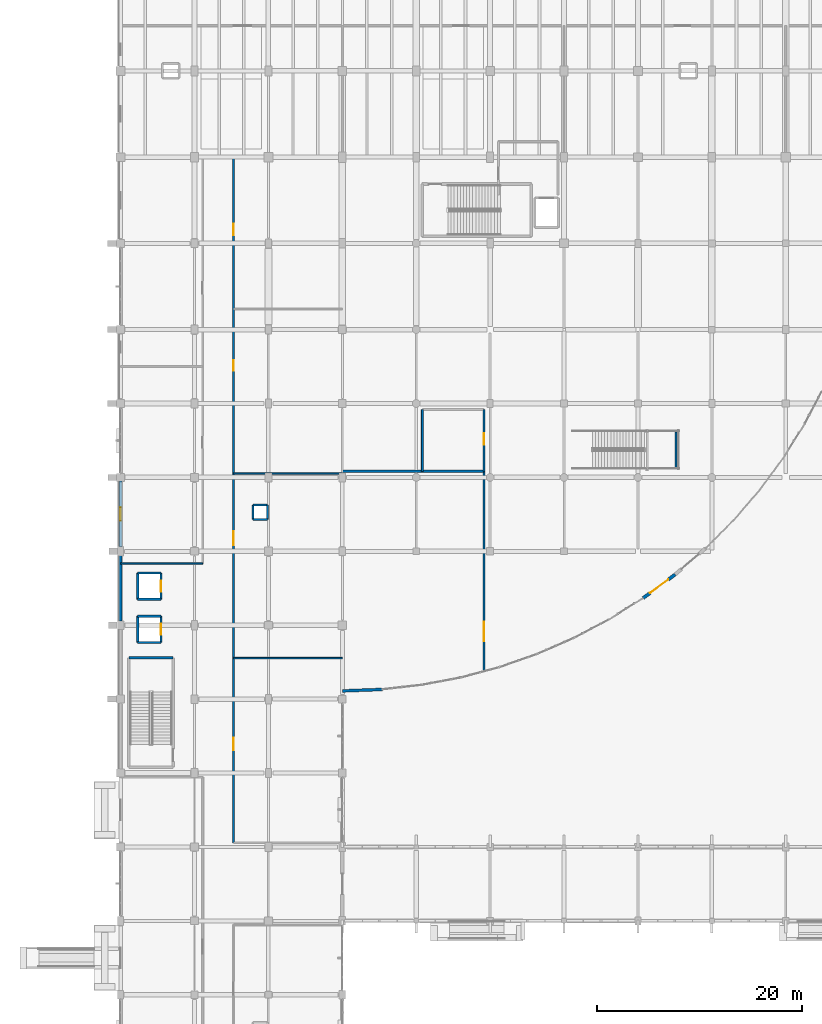
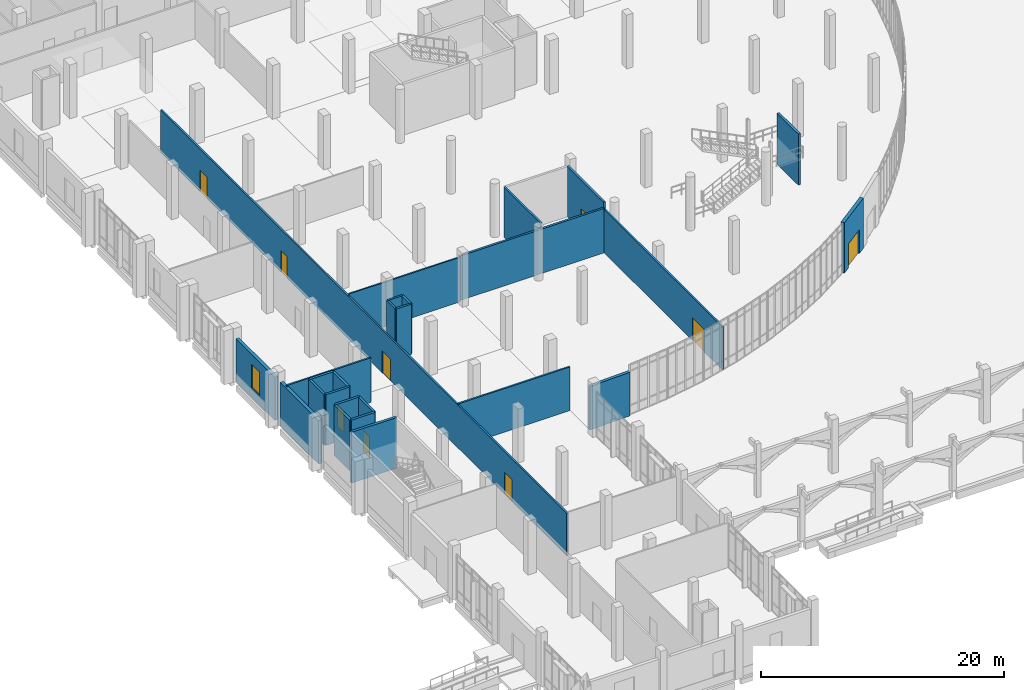
# One storey, part 89 of 110: 26 walls, 9 doors, 1 window, 10 openings.
"""IFC4 building model written with IfcOpenShell, lengths in metres."""

from ifc_helpers import new_model, si_unit, direction, frame, frame_2d, origin, place, context, subcontext, project, spatial, rectangle, extrude, material, layer, layer_set, type_object, element, fill, save


model = new_model("IFC4")

# Units and contexts
model_context = context("Model", 3, precision=1e-05, world=origin(), true_north=direction((0.0, 1.0)))
body_context = subcontext(model_context, "Body", "Model", "MODEL_VIEW")
ifc_project = project(units=[si_unit("LENGTHUNIT", "METRE"), si_unit("AREAUNIT", "SQUARE_METRE"), si_unit("VOLUMEUNIT", "CUBIC_METRE"), si_unit("PLANEANGLEUNIT", "RADIAN"), si_unit("MASSUNIT", "GRAM", prefix="KILO")], contexts=[model_context])

# Site, building, storey
site_placement = place(None, origin())
site = spatial("IfcSite", under=ifc_project, at=site_placement, CompositionType="ELEMENT")
building_placement = place(site_placement, origin())
building = spatial("IfcBuilding", under=site, at=building_placement, Name="Kalluvel Institute of Natural Sciences", CompositionType="ELEMENT")
storey_placement = place(building_placement, origin())
storey = spatial("IfcBuildingStorey", under=building, at=storey_placement, Name="L00", CompositionType="ELEMENT", Elevation=0.0)

# Walls
ifc_material_1 = material(Name="Concrete M40", Category="concrete")
ifc_layer_1 = layer(ifc_material_1, 0.25)
ifc_layer_set_1 = layer_set([ifc_layer_1], Name="Concrete M40")
wall_type_1 = type_object("IfcWallType", Name="WL-CORE-250", PredefinedType="SHEAR", material=ifc_layer_set_1)
wall_1_placement = place(storey_placement, frame((19.114990234375, 54.014892578125, 0.0), z_axis=(0.0, 0.0, 1.0), x_axis=(-1.0, 0.0, 0.0)))
element("IfcWall", 1, at=wall_1_placement, inside=storey, type_object=wall_type_1, Name="ST4 L00 core wall N", PredefinedType="SHEAR", context=body_context, shape_type="SweptSolid", body=[
    extrude(rectangle(XDim=4.300048828125, YDim=0.25, at=frame_2d((2.14990234375, 0.0))), origin(), (0.0, 0.0, 1.0), 5.094970703125),
])
ifc_material_2 = material(Name="Sadarahalli Grey Granite Ashlar Concrete M40", Category="masonry")
ifc_layer_2 = layer(ifc_material_2, 0.280029296875)
ifc_layer_set_2 = layer_set([ifc_layer_2], Name="Sadarahalli Grey Granite Ashlar Concrete M40")
wall_type_2 = type_object("IfcWallType", Name="WL-EXT-280", PredefinedType="SOLIDWALL", material=ifc_layer_set_2)
wall_2_placement = place(storey_placement, frame((35.60009765625, 50.800048828125, 0.0), z_axis=(0.0, 0.0, 1.0), x_axis=(0.999302046255, 0.037355325597, 0.0)))
element("IfcWall", 2, at=wall_2_placement, inside=storey, type_object=wall_type_2, Name="L00 Sadarahalli granite exterior wall WL-EXT-L00-0211", PredefinedType="SOLIDWALL", context=body_context, shape_type="SweptSolid", body=[
    extrude(rectangle(XDim=3.888671875, YDim=0.280029296875, at=frame_2d((1.9443359375, 0.0))), origin(), (0.0, 0.0, 1.0), 4.375),
])

# Wall, opening, window
ifc_layer_3 = layer(ifc_material_2, 0.300048828125)
ifc_layer_set_3 = layer_set([ifc_layer_3], Name="Sadarahalli Grey Granite Ashlar Concrete M40")
wall_type_3 = type_object("IfcWallType", Name="WL-EXT-300", PredefinedType="SOLIDWALL", material=ifc_layer_set_3)
wall_3_placement = place(storey_placement, frame((14.0, 64.830078125, 0.0), z_axis=(0.0, 0.0, 1.0), x_axis=(0.0, 1.0, 0.0)))
wall_3 = element("IfcWall", 3, at=wall_3_placement, inside=storey, type_object=wall_type_3, Name="L00 Sadarahalli granite exterior wall WL-EXT-L00-0140", PredefinedType="SOLIDWALL", context=body_context, shape_type="SweptSolid", body=[
    extrude(rectangle(XDim=6.4150390625, YDim=0.300048828125, at=frame_2d((3.20751953125, 0.0))), origin(), (0.0, 0.0, 1.0), 4.324951171875),
])
opening_1_placement = place(wall_3_placement, frame((2.5576171875, 0.0, 0.949951171875)))
opening_1 = element("IfcOpeningElement", 4, at=opening_1_placement, cuts=wall_3, Name="Opening W-17", PredefinedType="OPENING", context=body_context, shape_type="SweptSolid", body=[
    extrude(rectangle(XDim=1.300048828125, YDim=2.35009765625, at=frame_2d((0.64990234375, 1.175048828125))), frame((0.0, 0.159912109375, 0.0), z_axis=(0.0, -1.0, 0.0), x_axis=(1.0, 0.0, 0.0)), (0.0, 0.0, 1.0), 0.320068359375),
])
ifc_material_3 = material(Name="Solar-Control Low-E Laminated Glass", Category="glass")
window_type = type_object("IfcWindowType", Name="WN-LAN-130x235", PartitioningType="SINGLE_PANEL", PredefinedType="WINDOW", material=ifc_material_3)
window_placement = place(opening_1_placement, origin())
window = element("IfcWindow", 5, at=window_placement, inside=storey, type_object=window_type, Name="L00 Gothic lancet window 23", OverallHeight=2.35009765625, OverallWidth=1.300048828125, PartitioningType="SINGLE_PANEL", PredefinedType="WINDOW", context=body_context, shape_type="SweptSolid", body=[
    extrude(rectangle(XDim=1.300048828125, YDim=2.35009765625, at=frame_2d((0.64990234375, 1.175048828125))), frame((0.0, 0.030029296875, 0.0), z_axis=(0.0, -1.0, 0.0), x_axis=(1.0, 0.0, 0.0)), (0.0, 0.0, 1.0), 0.06005859375),
])
fill(opening_1, window)

# Wall
ifc_layer_4 = layer(ifc_material_2, 0.320068359375)
ifc_layer_set_4 = layer_set([ifc_layer_4], Name="Sadarahalli Grey Granite Ashlar Concrete M40")
wall_type_4 = type_object("IfcWallType", Name="WL-EXT-320", PredefinedType="SOLIDWALL", material=ifc_layer_set_4)
wall_4_placement = place(storey_placement, frame((14.0, 57.60498046875, 0.0), z_axis=(0.0, 0.0, 1.0), x_axis=(0.0, 1.0, 0.0)))
element("IfcWall", 6, at=wall_4_placement, inside=storey, type_object=wall_type_4, Name="L00 Sadarahalli granite exterior wall WL-EXT-L00-0139", PredefinedType="SOLIDWALL", context=body_context, shape_type="SweptSolid", body=[
    extrude(rectangle(XDim=6.364990234375, YDim=0.320068359375, at=frame_2d((3.1826171875, 0.0))), origin(), (0.0, 0.0, 1.0), 4.35498046875),
])

# Wall, opening, door
wall_5_placement = place(storey_placement, frame((64.892578125, 59.835693359375, 0.0), z_axis=(0.0, 0.0, 1.0), x_axis=(0.804616930676, 0.593794236137, 0.0)))
wall_5 = element("IfcWall", 7, at=wall_5_placement, inside=storey, type_object=wall_type_4, Name="L00 Sadarahalli granite exterior wall WL-EXT-L00-0212", PredefinedType="SOLIDWALL", context=body_context, shape_type="SweptSolid", body=[
    extrude(rectangle(XDim=3.888671875, YDim=0.320068359375, at=frame_2d((1.9443359375, 0.0))), origin(), (0.0, 0.0, 1.0), 5.050048828125),
])
opening_2_placement = place(wall_5_placement, frame((0.844482421875, 0.0, 0.0)))
opening_2 = element("IfcOpeningElement", 8, at=opening_2_placement, cuts=wall_5, Name="Opening E5", PredefinedType="OPENING", context=body_context, shape_type="SweptSolid", body=[
    extrude(rectangle(XDim=2.199951171875, YDim=2.39990234375, at=frame_2d((1.10009765625, 1.199951171875))), frame((0.0, 0.169921875, 0.0), z_axis=(0.0, -1.0, 0.0), x_axis=(1.0, 0.0, 0.0)), (0.0, 0.0, 1.0), 0.340087890625),
])
ifc_material_4 = material(Name="Aluminium AW-6063 T6", Category="aluminium")
door_type_1 = type_object("IfcDoorType", Name="DR-EXT-2200", OperationType="NOTDEFINED", PredefinedType="DOOR", material=ifc_material_4)
door_1_placement = place(opening_2_placement, origin())
door_1 = element("IfcDoor", 9, at=door_1_placement, inside=storey, type_object=door_type_1, Name="Pedestrian exit door E5", OperationType="DOUBLE_DOOR_SINGLE_SWING", OverallHeight=2.39990234375, OverallWidth=2.199951171875, PredefinedType="DOOR", context=body_context, shape_type="SweptSolid", body=[
    extrude(rectangle(XDim=2.199951171875, YDim=2.39990234375, at=frame_2d((1.10009765625, 1.199951171875))), frame((0.0, 0.02490234375, 0.0), z_axis=(0.0, -1.0, 0.0), x_axis=(1.0, 0.0, 0.0)), (0.0, 0.0, 1.0), 0.050048828125),
])
fill(opening_2, door_1)

# Walls
ifc_material_5 = material(Name="Autoclaved Aerated Concrete Masonry Block", Category="masonry")
ifc_layer_5 = layer(ifc_material_5, 0.179931640625)
ifc_layer_set_5 = layer_set([ifc_layer_5], Name="Autoclaved Aerated Concrete Masonry Block")
wall_type_5 = type_object("IfcWallType", Name="WL-FIRE-180", PredefinedType="SOLIDWALL", material=ifc_layer_set_5)
wall_6_placement = place(storey_placement, frame((43.39990234375, 72.199951171875, 0.0), z_axis=(0.0, 0.0, 1.0), x_axis=(0.0, 1.0, 0.0)))
element("IfcWall", 10, at=wall_6_placement, inside=storey, type_object=wall_type_5, Name="L00 interior fire wall WL-INT-L00-0062", PredefinedType="SOLIDWALL", context=body_context, shape_type="SweptSolid", body=[
    extrude(rectangle(XDim=6.0, YDim=0.179931640625, at=frame_2d((3.0, 0.0))), origin(), (0.0, 0.0, 1.0), 5.02001953125),
])
ifc_layer_6 = layer(ifc_material_5, 0.199951171875)
ifc_layer_set_6 = layer_set([ifc_layer_6], Name="Autoclaved Aerated Concrete Masonry Block")
wall_type_6 = type_object("IfcWallType", Name="WL-FIRE-200", PredefinedType="SOLIDWALL", material=ifc_layer_set_6)
wall_7_placement = place(storey_placement, frame((35.60009765625, 72.199951171875, 0.0), z_axis=(0.0, 0.0, 1.0), x_axis=(1.0, 0.0, 0.0)))
element("IfcWall", 11, at=wall_7_placement, inside=storey, type_object=wall_type_6, Name="L00 interior fire wall WL-INT-L00-0059", PredefinedType="SOLIDWALL", context=body_context, shape_type="SweptSolid", body=[
    extrude(rectangle(XDim=13.7998046875, YDim=0.199951171875, at=frame_2d((6.89990234375, 0.0))), origin(), (0.0, 0.0, 1.0), 4.4599609375),
])

# Wall, opening, door
wall_8_placement = place(storey_placement, frame((49.39990234375, 72.199951171875, 0.0), z_axis=(0.0, 0.0, 1.0), x_axis=(0.0, 1.0, 0.0)))
wall_8 = element("IfcWall", 12, at=wall_8_placement, inside=storey, type_object=wall_type_6, Name="L00 interior fire wall WL-INT-L00-0060", PredefinedType="SOLIDWALL", context=body_context, shape_type="SweptSolid", body=[
    extrude(rectangle(XDim=6.0, YDim=0.199951171875, at=frame_2d((3.0, 0.0))), origin(), (0.0, 0.0, 1.0), 5.02001953125),
])
opening_3_placement = place(wall_8_placement, frame((2.60009765625, 0.0, 0.0)))
opening_3 = element("IfcOpeningElement", 13, at=opening_3_placement, cuts=wall_8, Name="Opening D-081", PredefinedType="OPENING", context=body_context, shape_type="SweptSolid", body=[
    extrude(rectangle(XDim=1.10009765625, YDim=2.14990234375, at=frame_2d((0.550048828125, 1.074951171875))), frame((0.0, 0.10986328125, 0.0), z_axis=(0.0, -1.0, 0.0), x_axis=(1.0, 0.0, 0.0)), (0.0, 0.0, 1.0), 0.219970703125),
])
ifc_material_6 = material(Name="Galvanized Fire-Rated Steel", Category="steel")
door_type_2 = type_object("IfcDoorType", Name="DR-FD60-1100", OperationType="NOTDEFINED", PredefinedType="DOOR", material=ifc_material_6)
door_2_placement = place(opening_3_placement, origin())
door_2 = element("IfcDoor", 14, at=door_2_placement, inside=storey, type_object=door_type_2, Name="Fire Command Centre door D-081", OperationType="SINGLE_SWING_RIGHT", OverallHeight=2.14990234375, OverallWidth=1.10009765625, PredefinedType="DOOR", context=body_context, shape_type="SweptSolid", body=[
    extrude(rectangle(XDim=1.10009765625, YDim=2.14990234375, at=frame_2d((0.550048828125, 1.074951171875))), frame((0.0, 0.02490234375, 0.0), z_axis=(0.0, -1.0, 0.0), x_axis=(1.0, 0.0, 0.0)), (0.0, 0.0, 1.0), 0.050048828125),
])
fill(opening_3, door_2)

# Wall
ifc_material_7 = material(Name="Acoustic Gypsum Twin-Stud Partition", Category="gypsum")
ifc_layer_7 = layer(ifc_material_7, 0.139892578125)
ifc_layer_set_7 = layer_set([ifc_layer_7], Name="Acoustic Gypsum Twin-Stud Partition")
wall_type_7 = type_object("IfcWallType", Name="WL-PART-140", PredefinedType="PARTITIONING", material=ifc_layer_set_7)
wall_9_placement = place(storey_placement, frame((25.0, 72.0, 0.0), z_axis=(0.0, 0.0, 1.0), x_axis=(1.0, 0.0, 0.0)))
element("IfcWall", 15, at=wall_9_placement, inside=storey, type_object=wall_type_7, Name="L00 interior partition wall WL-INT-L00-0052", PredefinedType="PARTITIONING", context=body_context, shape_type="SweptSolid", body=[
    extrude(rectangle(XDim=10.60009765625, YDim=0.139892578125, at=frame_2d((5.300048828125, 0.0))), origin(), (0.0, 0.0, 1.0), 4.47998046875),
])

# Wall, openings, doors
ifc_layer_8 = layer(ifc_material_5, 0.159912109375)
ifc_layer_set_8 = layer_set([ifc_layer_8], Name="Autoclaved Aerated Concrete Masonry Block")
wall_type_8 = type_object("IfcWallType", Name="WL-PART-160", PredefinedType="PARTITIONING", material=ifc_layer_set_8)
wall_10_placement = place(storey_placement, frame((25.0, 36.0, 0.0), z_axis=(0.0, 0.0, 1.0), x_axis=(0.0, 1.0, 0.0)))
wall_10 = element("IfcWall", 16, at=wall_10_placement, inside=storey, type_object=wall_type_8, Name="L00 interior partition wall WL-INT-L00-0048", PredefinedType="PARTITIONING", context=body_context, shape_type="SweptSolid", body=[
    extrude(rectangle(XDim=66.800048828125, YDim=0.159912109375, at=frame_2d((33.39990234375, 0.0))), origin(), (0.0, 0.0, 1.0), 4.280029296875),
])
opening_4_placement = place(wall_10_placement, frame((9.0, 0.0, 0.0)))
opening_4 = element("IfcOpeningElement", 17, at=opening_4_placement, cuts=wall_10, Name="Opening D-074", PredefinedType="OPENING", context=body_context, shape_type="SweptSolid", body=[
    extrude(rectangle(XDim=1.25, YDim=2.199951171875, at=frame_2d((0.625, 1.10009765625))), frame((0.0, 0.08984375, 0.0), z_axis=(0.0, -1.0, 0.0), x_axis=(1.0, 0.0, 0.0)), (0.0, 0.0, 1.0), 0.179931640625),
])
opening_5_placement = place(wall_10_placement, frame((29.0, 0.0, 0.0)))
opening_5 = element("IfcOpeningElement", 18, at=opening_5_placement, cuts=wall_10, Name="Opening D-075", PredefinedType="OPENING", context=body_context, shape_type="SweptSolid", body=[
    extrude(rectangle(XDim=1.35009765625, YDim=2.199951171875, at=frame_2d((0.675048828125, 1.10009765625))), frame((0.0, 0.08984375, 0.0), z_axis=(0.0, -1.0, 0.0), x_axis=(1.0, 0.0, 0.0)), (0.0, 0.0, 1.0), 0.179931640625),
])
opening_6_placement = place(wall_10_placement, frame((46.0, 0.0, 0.0)))
opening_6 = element("IfcOpeningElement", 19, at=opening_6_placement, cuts=wall_10, Name="Opening D-076", PredefinedType="OPENING", context=body_context, shape_type="SweptSolid", body=[
    extrude(rectangle(XDim=1.0, YDim=2.14990234375, at=frame_2d((0.5, 1.074951171875))), frame((0.0, 0.08984375, 0.0), z_axis=(0.0, -1.0, 0.0), x_axis=(1.0, 0.0, 0.0)), (0.0, 0.0, 1.0), 0.179931640625),
])
opening_7_placement = place(wall_10_placement, frame((59.199951171875, 0.0, 0.0)))
opening_7 = element("IfcOpeningElement", 20, at=opening_7_placement, cuts=wall_10, Name="Opening D-077", PredefinedType="OPENING", context=body_context, shape_type="SweptSolid", body=[
    extrude(rectangle(XDim=1.10009765625, YDim=2.14990234375, at=frame_2d((0.550048828125, 1.074951171875))), frame((0.0, 0.08984375, 0.0), z_axis=(0.0, -1.0, 0.0), x_axis=(1.0, 0.0, 0.0)), (0.0, 0.0, 1.0), 0.179931640625),
])
ifc_material_8 = material(Name="Engineered Hardwood Acoustic Leaf", Category="wood")
door_type_3 = type_object("IfcDoorType", Name="DR-INT-1000", OperationType="NOTDEFINED", PredefinedType="DOOR", material=ifc_material_8)
door_3_placement = place(opening_6_placement, origin())
door_3 = element("IfcDoor", 21, at=door_3_placement, inside=storey, type_object=door_type_3, Name="Research Computing Helpdesk and Visualization Suite door D-076", OperationType="SINGLE_SWING_RIGHT", OverallHeight=2.14990234375, OverallWidth=1.0, PredefinedType="DOOR", context=body_context, shape_type="SweptSolid", body=[
    extrude(rectangle(XDim=1.0, YDim=2.14990234375, at=frame_2d((0.5, 1.074951171875))), frame((0.0, 0.02490234375, 0.0), z_axis=(0.0, -1.0, 0.0), x_axis=(1.0, 0.0, 0.0)), (0.0, 0.0, 1.0), 0.050048828125),
])
fill(opening_6, door_3)
door_type_4 = type_object("IfcDoorType", Name="DR-INT-1100", OperationType="NOTDEFINED", PredefinedType="DOOR", material=ifc_material_8)
door_4_placement = place(opening_7_placement, origin())
door_4 = element("IfcDoor", 22, at=door_4_placement, inside=storey, type_object=door_type_4, Name="Campus Security and Estates Operations Office door D-077", OperationType="SINGLE_SWING_LEFT", OverallHeight=2.14990234375, OverallWidth=1.10009765625, PredefinedType="DOOR", context=body_context, shape_type="SweptSolid", body=[
    extrude(rectangle(XDim=1.10009765625, YDim=2.14990234375, at=frame_2d((0.550048828125, 1.074951171875))), frame((0.0, 0.02490234375, 0.0), z_axis=(0.0, -1.0, 0.0), x_axis=(1.0, 0.0, 0.0)), (0.0, 0.0, 1.0), 0.050048828125),
])
fill(opening_7, door_4)
door_type_5 = type_object("IfcDoorType", Name="DR-INT-1250", OperationType="NOTDEFINED", PredefinedType="DOOR", material=ifc_material_8)
door_5_placement = place(opening_4_placement, origin())
door_5 = element("IfcDoor", 23, at=door_5_placement, inside=storey, type_object=door_type_5, Name="Science Outreach Classroom and Workshop door D-074", OperationType="SINGLE_SWING_RIGHT", OverallHeight=2.199951171875, OverallWidth=1.25, PredefinedType="DOOR", context=body_context, shape_type="SweptSolid", body=[
    extrude(rectangle(XDim=1.25, YDim=2.199951171875, at=frame_2d((0.625, 1.10009765625))), frame((0.0, 0.02490234375, 0.0), z_axis=(0.0, -1.0, 0.0), x_axis=(1.0, 0.0, 0.0)), (0.0, 0.0, 1.0), 0.050048828125),
])
fill(opening_4, door_5)
door_type_6 = type_object("IfcDoorType", Name="DR-INT-1350", OperationType="NOTDEFINED", PredefinedType="DOOR", material=ifc_material_4)
door_6_placement = place(opening_5_placement, origin())
door_6 = element("IfcDoor", 24, at=door_6_placement, inside=storey, type_object=door_type_6, Name="Computational Ecology Write-Up Studio door D-075", OperationType="SINGLE_SWING_LEFT", OverallHeight=2.199951171875, OverallWidth=1.35009765625, PredefinedType="DOOR", context=body_context, shape_type="SweptSolid", body=[
    extrude(rectangle(XDim=1.35009765625, YDim=2.199951171875, at=frame_2d((0.675048828125, 1.10009765625))), frame((0.0, 0.02490234375, 0.0), z_axis=(0.0, -1.0, 0.0), x_axis=(1.0, 0.0, 0.0)), (0.0, 0.0, 1.0), 0.050048828125),
])
fill(opening_5, door_6)

# Walls
wall_11_placement = place(storey_placement, frame((25.0, 54.0, 0.0), z_axis=(0.0, 0.0, 1.0), x_axis=(1.0, 0.0, 0.0)))
element("IfcWall", 25, at=wall_11_placement, inside=storey, type_object=wall_type_8, Name="L00 interior partition wall WL-INT-L00-0051", PredefinedType="PARTITIONING", context=body_context, shape_type="SweptSolid", body=[
    extrude(rectangle(XDim=10.60009765625, YDim=0.159912109375, at=frame_2d((5.300048828125, 0.0))), origin(), (0.0, 0.0, 1.0), 4.3798828125),
])
wall_12_placement = place(storey_placement, frame((14.0, 63.199951171875, 0.0), z_axis=(0.0, 0.0, 1.0), x_axis=(1.0, 0.0, 0.0)))
element("IfcWall", 26, at=wall_12_placement, inside=storey, type_object=wall_type_8, Name="L00 interior partition wall WL-INT-L00-0057", PredefinedType="PARTITIONING", context=body_context, shape_type="SweptSolid", body=[
    extrude(rectangle(XDim=8.0, YDim=0.159912109375, at=frame_2d((4.0, 0.0))), origin(), (0.0, 0.0, 1.0), 4.47998046875),
])

# Wall, opening, door
wall_13_placement = place(storey_placement, frame((49.39990234375, 52.679931640625, 0.0), z_axis=(0.0, 0.0, 1.0), x_axis=(0.0, 1.0, 0.0)))
wall_13 = element("IfcWall", 27, at=wall_13_placement, inside=storey, type_object=wall_type_8, Name="L00 interior partition wall WL-INT-L00-0063", PredefinedType="PARTITIONING", context=body_context, shape_type="SweptSolid", body=[
    extrude(rectangle(XDim=19.52001953125, YDim=0.159912109375, at=frame_2d((9.760009765625, 0.0))), origin(), (0.0, 0.0, 1.0), 4.340087890625),
])
opening_8_placement = place(wall_13_placement, frame((2.969970703125, 0.0, 0.0)))
opening_8 = element("IfcOpeningElement", 28, at=opening_8_placement, cuts=wall_13, Name="Opening D-082", PredefinedType="OPENING", context=body_context, shape_type="SweptSolid", body=[
    extrude(rectangle(XDim=1.89990234375, YDim=2.300048828125, at=frame_2d((0.949951171875, 1.14990234375))), frame((0.0, 0.08984375, 0.0), z_axis=(0.0, -1.0, 0.0), x_axis=(1.0, 0.0, 0.0)), (0.0, 0.0, 1.0), 0.179931640625),
])
door_type_7 = type_object("IfcDoorType", Name="DR-DBL-1900", OperationType="NOTDEFINED", PredefinedType="DOOR", material=ifc_material_4)
door_7_placement = place(opening_8_placement, origin())
door_7 = element("IfcDoor", 29, at=door_7_placement, inside=storey, type_object=door_type_7, Name="Exhibition Gallery door D-082", OperationType="DOUBLE_DOOR_SINGLE_SWING", OverallHeight=2.300048828125, OverallWidth=1.89990234375, PredefinedType="DOOR", context=body_context, shape_type="SweptSolid", body=[
    extrude(rectangle(XDim=1.89990234375, YDim=2.300048828125, at=frame_2d((0.949951171875, 1.14990234375))), frame((0.0, 0.02490234375, 0.0), z_axis=(0.0, -1.0, 0.0), x_axis=(1.0, 0.0, 0.0)), (0.0, 0.0, 1.0), 0.050048828125),
])
fill(opening_8, door_7)

# Walls
ifc_layer_9 = layer(ifc_material_1, 0.199951171875)
ifc_layer_set_9 = layer_set([ifc_layer_9], Name="Concrete M40")
wall_type_9 = type_object("IfcWallType", Name="WL-RISER-200", PredefinedType="SHEAR", material=ifc_layer_set_9)
wall_14_placement = place(storey_placement, frame((26.89990234375, 67.5, 0.0), z_axis=(0.0, 0.0, 1.0), x_axis=(1.0, 0.0, 0.0)))
element("IfcWall", 30, at=wall_14_placement, inside=storey, type_object=wall_type_9, Name="RS-DRY-N L00 service riser enclosure S", PredefinedType="SHEAR", context=body_context, shape_type="SweptSolid", body=[
    extrude(rectangle(XDim=1.400146484375, YDim=0.199951171875, at=frame_2d((0.7001953125, 0.0))), origin(), (0.0, 0.0, 1.0), 5.06005859375),
])
wall_15_placement = place(storey_placement, frame((28.300048828125, 67.5, 0.0), z_axis=(0.0, 0.0, 1.0), x_axis=(0.0, 1.0, 0.0)))
element("IfcWall", 31, at=wall_15_placement, inside=storey, type_object=wall_type_9, Name="RS-DRY-N L00 service riser enclosure E", PredefinedType="SHEAR", context=body_context, shape_type="SweptSolid", body=[
    extrude(rectangle(XDim=1.39990234375, YDim=0.199951171875, at=frame_2d((0.699951171875, 0.0))), origin(), (0.0, 0.0, 1.0), 5.06005859375),
])
wall_16_placement = place(storey_placement, frame((28.300048828125, 68.89990234375, 0.0), z_axis=(0.0, 0.0, 1.0), x_axis=(-1.0, 0.0, 0.0)))
element("IfcWall", 32, at=wall_16_placement, inside=storey, type_object=wall_type_9, Name="RS-DRY-N L00 service riser enclosure N", PredefinedType="SHEAR", context=body_context, shape_type="SweptSolid", body=[
    extrude(rectangle(XDim=1.400146484375, YDim=0.199951171875, at=frame_2d((0.7001953125, 0.0))), origin(), (0.0, 0.0, 1.0), 5.06005859375),
])
wall_17_placement = place(storey_placement, frame((26.89990234375, 68.89990234375, 0.0), z_axis=(0.0, 0.0, 1.0), x_axis=(0.0, -1.0, 0.0)))
element("IfcWall", 33, at=wall_17_placement, inside=storey, type_object=wall_type_9, Name="RS-DRY-N L00 service riser enclosure W", PredefinedType="SHEAR", context=body_context, shape_type="SweptSolid", body=[
    extrude(rectangle(XDim=1.39990234375, YDim=0.199951171875, at=frame_2d((0.699951171875, 0.0))), origin(), (0.0, 0.0, 1.0), 5.06005859375),
])
ifc_layer_10 = layer(ifc_material_1, 0.219970703125)
ifc_layer_set_10 = layer_set([ifc_layer_10], Name="Concrete M40")
wall_type_10 = type_object("IfcWallType", Name="WL-SHAFT-220", PredefinedType="SHEAR", material=ifc_layer_set_10)
wall_18_placement = place(storey_placement, frame((15.669921875, 55.52001953125, 0.0), z_axis=(0.0, 0.0, 1.0), x_axis=(1.0, 0.0, 0.0)))
element("IfcWall", 34, at=wall_18_placement, inside=storey, type_object=wall_type_10, Name="LF6 L00 lift shaft wall", PredefinedType="SHEAR", context=body_context, shape_type="SweptSolid", body=[
    extrude(rectangle(XDim=2.260009765625, YDim=0.219970703125, at=frame_2d((1.1298828125, 0.0))), origin(), (0.0, 0.0, 1.0), 5.094970703125),
])

# Wall, opening, door
wall_19_placement = place(storey_placement, frame((17.929931640625, 55.52001953125, 0.0), z_axis=(0.0, 0.0, 1.0), x_axis=(0.0, 1.0, 0.0)))
wall_19 = element("IfcWall", 35, at=wall_19_placement, inside=storey, type_object=wall_type_10, Name="LF6 L00 lift shaft wall", PredefinedType="SHEAR", context=body_context, shape_type="SweptSolid", body=[
    extrude(rectangle(XDim=2.56005859375, YDim=0.219970703125, at=frame_2d((1.280029296875, 0.0))), origin(), (0.0, 0.0, 1.0), 5.094970703125),
])
opening_9_placement = place(wall_19_placement, frame((0.72998046875, 0.0, 0.0)))
opening_9 = element("IfcOpeningElement", 36, at=opening_9_placement, cuts=wall_19, Name="Opening LD-044", PredefinedType="OPENING", context=body_context, shape_type="SweptSolid", body=[
    extrude(rectangle(XDim=1.10009765625, YDim=2.14990234375, at=frame_2d((0.550048828125, 1.074951171875))), frame((0.0, 0.119873046875, 0.0), z_axis=(0.0, -1.0, 0.0), x_axis=(1.0, 0.0, 0.0)), (0.0, 0.0, 1.0), 0.239990234375),
])
door_type_8 = type_object("IfcDoorType", Name="DR-LD-1100", OperationType="NOTDEFINED", PredefinedType="DOOR", material=ifc_material_6)
door_8_placement = place(opening_9_placement, origin())
door_8 = element("IfcDoor", 37, at=door_8_placement, inside=storey, type_object=door_type_8, Name="LF6 L00 sliding lift landing door LD-044", OperationType="DOUBLE_DOOR_SLIDING", OverallHeight=2.14990234375, OverallWidth=1.10009765625, PredefinedType="DOOR", context=body_context, shape_type="SweptSolid", body=[
    extrude(rectangle(XDim=1.10009765625, YDim=2.14990234375, at=frame_2d((0.550048828125, 1.074951171875))), frame((0.0, 0.02490234375, 0.0), z_axis=(0.0, -1.0, 0.0), x_axis=(1.0, 0.0, 0.0)), (0.0, 0.0, 1.0), 0.050048828125),
])
fill(opening_9, door_8)

# Walls
wall_20_placement = place(storey_placement, frame((17.929931640625, 58.080078125, 0.0), z_axis=(0.0, 0.0, 1.0), x_axis=(-1.0, 0.0, 0.0)))
element("IfcWall", 38, at=wall_20_placement, inside=storey, type_object=wall_type_10, Name="LF6 L00 lift shaft wall", PredefinedType="SHEAR", context=body_context, shape_type="SweptSolid", body=[
    extrude(rectangle(XDim=2.260009765625, YDim=0.219970703125, at=frame_2d((1.1298828125, 0.0))), origin(), (0.0, 0.0, 1.0), 5.094970703125),
])
wall_21_placement = place(storey_placement, frame((15.669921875, 58.080078125, 0.0), z_axis=(0.0, 0.0, 1.0), x_axis=(0.0, -1.0, 0.0)))
element("IfcWall", 39, at=wall_21_placement, inside=storey, type_object=wall_type_10, Name="LF6 L00 lift shaft wall", PredefinedType="SHEAR", context=body_context, shape_type="SweptSolid", body=[
    extrude(rectangle(XDim=2.56005859375, YDim=0.219970703125, at=frame_2d((1.280029296875, 0.0))), origin(), (0.0, 0.0, 1.0), 5.094970703125),
])
wall_22_placement = place(storey_placement, frame((15.669921875, 59.719970703125, 0.0), z_axis=(0.0, 0.0, 1.0), x_axis=(1.0, 0.0, 0.0)))
element("IfcWall", 40, at=wall_22_placement, inside=storey, type_object=wall_type_10, Name="LF7 L00 lift shaft wall", PredefinedType="SHEAR", context=body_context, shape_type="SweptSolid", body=[
    extrude(rectangle(XDim=2.260009765625, YDim=0.219970703125, at=frame_2d((1.1298828125, 0.0))), origin(), (0.0, 0.0, 1.0), 5.094970703125),
])

# Wall, opening, door
wall_23_placement = place(storey_placement, frame((17.929931640625, 59.719970703125, 0.0), z_axis=(0.0, 0.0, 1.0), x_axis=(0.0, 1.0, 0.0)))
wall_23 = element("IfcWall", 41, at=wall_23_placement, inside=storey, type_object=wall_type_10, Name="LF7 L00 lift shaft wall", PredefinedType="SHEAR", context=body_context, shape_type="SweptSolid", body=[
    extrude(rectangle(XDim=2.56005859375, YDim=0.219970703125, at=frame_2d((1.280029296875, 0.0))), origin(), (0.0, 0.0, 1.0), 5.094970703125),
])
opening_10_placement = place(wall_23_placement, frame((0.72998046875, 0.0, 0.0)))
opening_10 = element("IfcOpeningElement", 42, at=opening_10_placement, cuts=wall_23, Name="Opening LD-052", PredefinedType="OPENING", context=body_context, shape_type="SweptSolid", body=[
    extrude(rectangle(XDim=1.10009765625, YDim=2.14990234375, at=frame_2d((0.550048828125, 1.074951171875))), frame((0.0, 0.119873046875, 0.0), z_axis=(0.0, -1.0, 0.0), x_axis=(1.0, 0.0, 0.0)), (0.0, 0.0, 1.0), 0.239990234375),
])
door_9_placement = place(opening_10_placement, origin())
door_9 = element("IfcDoor", 43, at=door_9_placement, inside=storey, type_object=door_type_8, Name="LF7 L00 sliding lift landing door LD-052", OperationType="DOUBLE_DOOR_SLIDING", OverallHeight=2.14990234375, OverallWidth=1.10009765625, PredefinedType="DOOR", context=body_context, shape_type="SweptSolid", body=[
    extrude(rectangle(XDim=1.10009765625, YDim=2.14990234375, at=frame_2d((0.550048828125, 1.074951171875))), frame((0.0, 0.02490234375, 0.0), z_axis=(0.0, -1.0, 0.0), x_axis=(1.0, 0.0, 0.0)), (0.0, 0.0, 1.0), 0.050048828125),
])
fill(opening_10, door_9)

# Walls
wall_24_placement = place(storey_placement, frame((17.929931640625, 62.280029296875, 0.0), z_axis=(0.0, 0.0, 1.0), x_axis=(-1.0, 0.0, 0.0)))
element("IfcWall", 44, at=wall_24_placement, inside=storey, type_object=wall_type_10, Name="LF7 L00 lift shaft wall", PredefinedType="SHEAR", context=body_context, shape_type="SweptSolid", body=[
    extrude(rectangle(XDim=2.260009765625, YDim=0.219970703125, at=frame_2d((1.1298828125, 0.0))), origin(), (0.0, 0.0, 1.0), 5.094970703125),
])
wall_25_placement = place(storey_placement, frame((15.669921875, 62.280029296875, 0.0), z_axis=(0.0, 0.0, 1.0), x_axis=(0.0, -1.0, 0.0)))
element("IfcWall", 45, at=wall_25_placement, inside=storey, type_object=wall_type_10, Name="LF7 L00 lift shaft wall", PredefinedType="SHEAR", context=body_context, shape_type="SweptSolid", body=[
    extrude(rectangle(XDim=2.56005859375, YDim=0.219970703125, at=frame_2d((1.280029296875, 0.0))), origin(), (0.0, 0.0, 1.0), 5.094970703125),
])
wall_26_placement = place(storey_placement, frame((68.10009765625, 72.5, 0.0), z_axis=(0.0, 0.0, 1.0), x_axis=(0.0, 1.0, 0.0)))
element("IfcWall", 46, at=wall_26_placement, inside=storey, type_object=wall_type_10, Name="L00 Atrium feature stair structural fin wall", PredefinedType="SHEAR", context=body_context, shape_type="SweptSolid", body=[
    extrude(rectangle(XDim=3.5, YDim=0.219970703125, at=frame_2d((1.75, 0.0))), origin(), (0.0, 0.0, 1.0), 5.1201171875),
])

save(model, "model.ifc")
